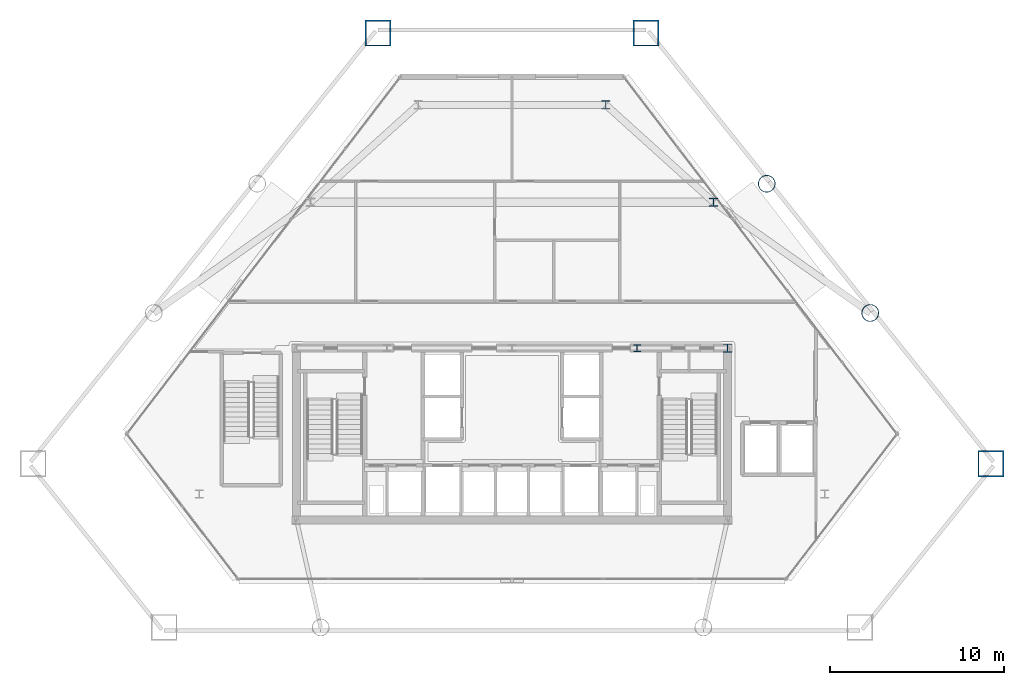
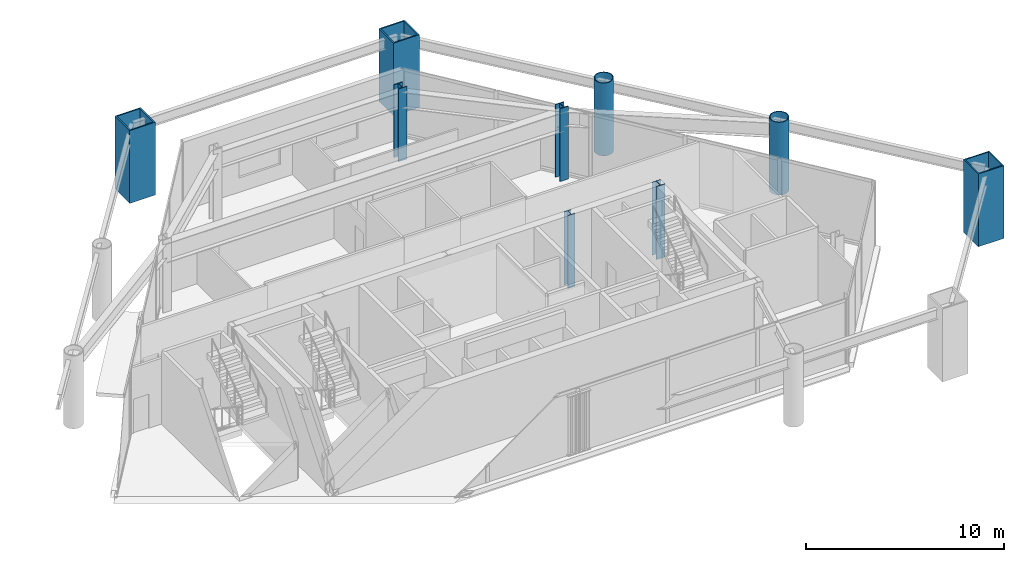
# One storey, part 2 of 11: 9 columns.
"""IFC4 building model written with IfcOpenShell, lengths in metres."""

from ifc_helpers import new_model, si_unit, direction, frame, origin, origin_2d, place, context, subcontext, project, spatial, hollow_rectangle, hollow_circle, i_section, extrude, material, material_profile, profile_set, type_object, element, save


model = new_model("IFC4")

# Units and contexts
model_context = context("Model", 3, precision=1e-05, world=origin(), true_north=direction((0.0, 1.0)))
body_context = subcontext(model_context, "Body", "Model", "MODEL_VIEW")
ifc_project = project(units=[si_unit("LENGTHUNIT", "METRE"), si_unit("AREAUNIT", "SQUARE_METRE"), si_unit("VOLUMEUNIT", "CUBIC_METRE"), si_unit("PLANEANGLEUNIT", "RADIAN"), si_unit("MASSUNIT", "GRAM", prefix="KILO")], contexts=[model_context])

# Site, building, storey
site_placement = place(None, origin())
site = spatial("IfcSite", under=ifc_project, at=site_placement, CompositionType="ELEMENT")
building_placement = place(site_placement, origin())
building = spatial("IfcBuilding", under=site, at=building_placement, Name="Talgorran Terracotta Tower", CompositionType="ELEMENT")
storey_placement = place(building_placement, frame((0.0, 0.0, 5.39990234375)))
storey = spatial("IfcBuildingStorey", under=building, at=storey_placement, Name="L01", CompositionType="ELEMENT", Elevation=5.39990234375)

# Columns
ifc_material_1 = material(Name="Steel S355 (300PLUS)", Category="steel")
ifc_material_profile_1 = material_profile(ifc_material_1, i_section(OverallWidth=0.5, OverallDepth=0.48193359375, WebThickness=0.0400390625, FlangeThickness=0.044921875, at=origin_2d()), Name="500WC440")
ifc_profile_set_1 = profile_set([ifc_material_profile_1], Name="Steel S355 (300PLUS)")
column_type_1 = type_object("IfcColumnType", Name="COL_500WC440", PredefinedType="COLUMN", material=ifc_profile_set_1)
for number, where, z_axis, x_axis, name in (
    (1, (12.39990234375, -4.199951171875, 0.0), (0.0, 0.0, 1.0), (1.0, 0.0, 0.0), "L01 Core Boundary Column CC3"),
    (2, (11.60009765625, 4.199951171875, 0.0), (0.0, 0.0, 1.0), (1.0, 0.0, 0.0), "L01 Podium Column PC4"),
    (3, (5.39990234375, 9.800048828125, 0.0), (0.0, 0.0, 1.0), (1.0, 0.0, 0.0), "L01 Podium Column PC6"),
):
    element("IfcColumn", number, at=place(storey_placement, frame(where, z_axis=z_axis, x_axis=x_axis)), inside=storey, type_object=column_type_1, Name=name, PredefinedType="COLUMN", context=body_context, shape_type="SweptSolid", body=[
        extrude(i_section(OverallWidth=0.5, OverallDepth=0.48193359375, WebThickness=0.0400390625, FlangeThickness=0.044921875, at=origin_2d()), origin(), (0.0, 0.0, 1.0), 4.5),
    ])
ifc_material_2 = material(Name="Steel Grade 350 (350L0)", Category="steel")
ifc_material_profile_2 = material_profile(ifc_material_2, hollow_rectangle(XDim=1.5, YDim=1.5, WallThickness=0.074951171875, at=origin_2d()), Name="CFT1500X1500X75")
ifc_profile_set_2 = profile_set([ifc_material_profile_2], Name="Steel Grade 350 (350L0)")
column_type_2 = type_object("IfcColumnType", Name="COL_CFT_1500", PredefinedType="COLUMN", material=ifc_profile_set_2)
for number, where, z_axis, x_axis, name in (
    (4, (27.56982421875, -10.85595703125, 0.0), (0.0, 0.0, 1.0), (1.0, 0.0, 0.0), "L01 Corner CFT Mega-Column MC4"),
    (5, (7.714111328125, 13.93603515625, 0.0), (0.0, 0.0, 1.0), (1.0, 0.0, 0.0), "L01 Corner CFT Mega-Column MC5"),
    (6, (-7.714111328125, 13.93603515625, 0.0), (0.0, 0.0, 1.0), (1.0, 0.0, 0.0), "L01 Corner CFT Mega-Column MC6"),
):
    element("IfcColumn", number, at=place(storey_placement, frame(where, z_axis=z_axis, x_axis=x_axis)), inside=storey, type_object=column_type_2, Name=name, PredefinedType="COLUMN", context=body_context, shape_type="SweptSolid", body=[
        extrude(hollow_rectangle(XDim=1.5, YDim=1.5, WallThickness=0.074951171875, at=origin_2d()), origin(), (0.0, 0.0, 1.0), 4.5),
    ])
ifc_material_profile_3 = material_profile(ifc_material_2, hollow_circle(Radius=0.5, WallThickness=0.044921875, at=origin_2d()), Name="CHS1000X45")
ifc_profile_set_3 = profile_set([ifc_material_profile_3], Name="Steel Grade 350 (350L0)")
column_type_3 = type_object("IfcColumnType", Name="COL_CHS_1000", PredefinedType="COLUMN", material=ifc_profile_set_3)
for number, where, z_axis, x_axis, name in (
    (7, (20.620361328125, -2.1787109375, 0.0), (0.0, 0.0, 1.0), (1.0, 0.0, 0.0), "L01 Facet Perimeter Column FC3"),
    (8, (14.663818359375, 5.2587890625, 0.0), (0.0, 0.0, 1.0), (1.0, 0.0, 0.0), "L01 Facet Perimeter Column FC4"),
):
    element("IfcColumn", number, at=place(storey_placement, frame(where, z_axis=z_axis, x_axis=x_axis)), inside=storey, type_object=column_type_3, Name=name, PredefinedType="COLUMN", context=body_context, shape_type="SweptSolid", body=[
        extrude(hollow_circle(Radius=0.5, WallThickness=0.044921875, at=origin_2d()), origin(), (0.0, 0.0, 1.0), 4.5),
    ])
ifc_material_profile_4 = material_profile(ifc_material_1, i_section(OverallWidth=0.405029296875, OverallDepth=0.4140625, WebThickness=0.02197265625, FlangeThickness=0.031982421875, at=origin_2d()), Name="400WC270")
ifc_profile_set_4 = profile_set([ifc_material_profile_4], Name="Steel S355 (300PLUS)")
column_type_4 = type_object("IfcColumnType", Name="COL_PIL_400WC270", PredefinedType="PILASTER", material=ifc_profile_set_4)
column_placement = place(storey_placement, frame((7.199951171875, -4.199951171875, 0.0), z_axis=(0.0, 0.0, 1.0), x_axis=(1.0, 0.0, 0.0)))
element("IfcColumn", 9, at=column_placement, inside=storey, type_object=column_type_4, Name="L01 Core Shear Pilaster CP3", PredefinedType="PILASTER", context=body_context, shape_type="SweptSolid", body=[
    extrude(i_section(OverallWidth=0.405029296875, OverallDepth=0.4140625, WebThickness=0.02197265625, FlangeThickness=0.031982421875, at=origin_2d()), origin(), (0.0, 0.0, 1.0), 4.5),
])

save(model, "model.ifc")
